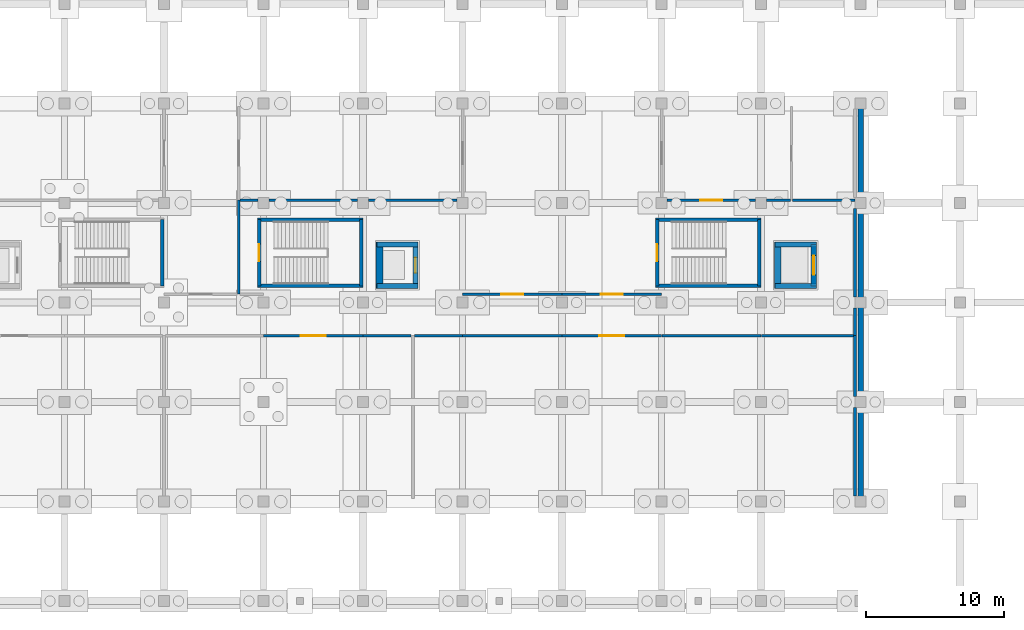
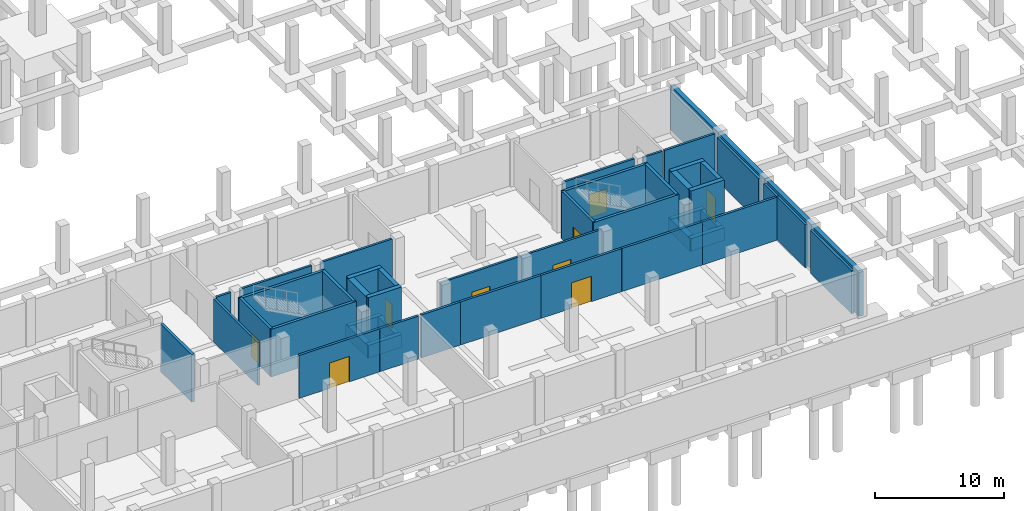
# One storey, part 19 of 22: 47 walls, 9 doors, 9 openings.
"""IFC4 building model written with IfcOpenShell, lengths in metres."""

from ifc_helpers import new_model, si_unit, direction, frame, frame_2d, origin, place, context, subcontext, project, spatial, rectangle, extrude, material, layer, layer_set, type_object, element, fill, save


model = new_model("IFC4")

# Units and contexts
model_context = context("Model", 3, precision=1e-05, world=origin(), true_north=direction((0.0, 1.0)))
body_context = subcontext(model_context, "Body", "Model", "MODEL_VIEW")
ifc_project = project(units=[si_unit("LENGTHUNIT", "METRE"), si_unit("AREAUNIT", "SQUARE_METRE"), si_unit("VOLUMEUNIT", "CUBIC_METRE"), si_unit("PLANEANGLEUNIT", "RADIAN"), si_unit("MASSUNIT", "GRAM", prefix="KILO")], contexts=[model_context])

# Site, building, storey
site_placement = place(None, origin())
site = spatial("IfcSite", under=ifc_project, at=site_placement, CompositionType="ELEMENT")
building_placement = place(site_placement, origin())
building = spatial("IfcBuilding", under=site, at=building_placement, Name="Sardonyx Promenade Sports Hall", CompositionType="ELEMENT")
storey_placement = place(building_placement, frame((0.0, 0.0, -4.5)))
storey = spatial("IfcBuildingStorey", under=building, at=storey_placement, Name="B1", CompositionType="ELEMENT", Elevation=-4.5)

# Walls
ifc_material_1 = material(Name="Concrete C40/50", Category="concrete")
ifc_layer_1 = layer(ifc_material_1, 0.3798828125)
ifc_layer_set_1 = layer_set([ifc_layer_1], Name="Wall_Core_Shear_380")
wall_type_1 = type_object("IfcWallType", Name="Wall_Core_Shear_380", PredefinedType="SHEAR", material=ifc_layer_set_1)
wall_1_placement = place(storey_placement, frame((83.0, 22.610107421875, -1.199951171875), z_axis=(0.0, 0.0, 1.0), x_axis=(0.0, 1.0, 0.0)))
element("IfcWall", 1, at=wall_1_placement, inside=storey, type_object=wall_type_1, Name="Lift pit wall LF2 E", PredefinedType="SHEAR", context=body_context, shape_type="SweptSolid", body=[
    extrude(rectangle(XDim=3.3798828125, YDim=0.3798828125, at=frame_2d((1.68994140625, 0.0))), origin(), (0.0, 0.0, 1.0), 1.199951171875),
])
for number, where, z_axis, x_axis, name in (
    (2, (80.2099609375, 25.800048828125, -1.199951171875), (0.0, 0.0, 1.0), (1.0, 0.0, 0.0), "Lift pit wall LF2 N"),
    (3, (83.18994140625, 22.800048828125, -1.199951171875), (0.0, 0.0, 1.0), (-1.0, 0.0, 0.0), "Lift pit wall LF2 S"),
):
    element("IfcWall", number, at=place(storey_placement, frame(where, z_axis=z_axis, x_axis=x_axis)), inside=storey, type_object=wall_type_1, Name=name, PredefinedType="SHEAR", context=body_context, shape_type="SweptSolid", body=[
        extrude(rectangle(XDim=2.97998046875, YDim=0.3798828125, at=frame_2d((1.489990234375, 0.0))), origin(), (0.0, 0.0, 1.0), 1.199951171875),
    ])

# Wall, opening, door
wall_2_placement = place(storey_placement, frame((83.0, 22.800048828125, 0.0), z_axis=(0.0, 0.0, 1.0), x_axis=(0.0, 1.0, 0.0)))
wall_2 = element("IfcWall", 4, at=wall_2_placement, inside=storey, type_object=wall_type_1, Name="Lift shaft wall LF2 B1 E", PredefinedType="SHEAR", context=body_context, shape_type="SweptSolid", body=[
    extrude(rectangle(XDim=3.0, YDim=0.3798828125, at=frame_2d((1.5, 0.0))), origin(), (0.0, 0.0, 1.0), 4.5),
])
opening_1_placement = place(wall_2_placement, frame((0.949951171875, 0.0, 0.0)))
opening_1 = element("IfcOpeningElement", 5, at=opening_1_placement, cuts=wall_2, Name="Opening LD01", PredefinedType="OPENING", context=body_context, shape_type="SweptSolid", body=[
    extrude(rectangle(XDim=1.10009765625, YDim=2.199951171875, at=frame_2d((0.550048828125, 1.10009765625))), frame((0.0, 0.2, 0.0), z_axis=(0.0, -1.0, 0.0), x_axis=(1.0, 0.0, 0.0)), (0.0, 0.0, 1.0), 0.4),
])
ifc_material_2 = material(Name="Fire-rated stainless steel sliding lift door", Category="steel")
door_type_1 = type_object("IfcDoorType", Name="Door_Lift_Pass_110x220", OperationType="NOTDEFINED", PredefinedType="DOOR", material=ifc_material_2)
door_1_placement = place(opening_1_placement, origin())
door_1 = element("IfcDoor", 6, at=door_1_placement, inside=storey, type_object=door_type_1, Name="Lift landing sliding door LD-LF2-B1", OperationType="SLIDING_TO_LEFT", OverallHeight=2.199951171875, OverallWidth=1.10009765625, PredefinedType="DOOR", context=body_context, shape_type="SweptSolid", body=[
    extrude(rectangle(XDim=1.10009765625, YDim=2.199951171875, at=frame_2d((0.550048828125, 1.10009765625))), frame((0.0, 0.02490234375, 0.0), z_axis=(0.0, -1.0, 0.0), x_axis=(1.0, 0.0, 0.0)), (0.0, 0.0, 1.0), 0.050048828125),
])
fill(opening_1, door_1)

# Walls
for number, where, z_axis, x_axis, name in (
    (7, (80.2099609375, 25.800048828125, 0.0), (0.0, 0.0, 1.0), (1.0, 0.0, 0.0), "Lift shaft wall LF2 B1 N"),
    (8, (83.18994140625, 22.800048828125, 0.0), (0.0, 0.0, 1.0), (-1.0, 0.0, 0.0), "Lift shaft wall LF2 B1 S"),
):
    element("IfcWall", number, at=place(storey_placement, frame(where, z_axis=z_axis, x_axis=x_axis)), inside=storey, type_object=wall_type_1, Name=name, PredefinedType="SHEAR", context=body_context, shape_type="SweptSolid", body=[
        extrude(rectangle(XDim=2.97998046875, YDim=0.3798828125, at=frame_2d((1.489990234375, 0.0))), origin(), (0.0, 0.0, 1.0), 4.5),
    ])
wall_3_placement = place(storey_placement, frame((111.800048828125, 22.610107421875, -1.199951171875), z_axis=(0.0, 0.0, 1.0), x_axis=(0.0, 1.0, 0.0)))
element("IfcWall", 9, at=wall_3_placement, inside=storey, type_object=wall_type_1, Name="Lift pit wall LF4 E", PredefinedType="SHEAR", context=body_context, shape_type="SweptSolid", body=[
    extrude(rectangle(XDim=3.3798828125, YDim=0.3798828125, at=frame_2d((1.68994140625, 0.0))), origin(), (0.0, 0.0, 1.0), 1.199951171875),
])
for number, where, z_axis, x_axis, name in (
    (10, (109.010009765625, 25.800048828125, -1.199951171875), (0.0, 0.0, 1.0), (1.0, 0.0, 0.0), "Lift pit wall LF4 N"),
    (11, (111.989990234375, 22.800048828125, -1.199951171875), (0.0, 0.0, 1.0), (-1.0, 0.0, 0.0), "Lift pit wall LF4 S"),
):
    element("IfcWall", number, at=place(storey_placement, frame(where, z_axis=z_axis, x_axis=x_axis)), inside=storey, type_object=wall_type_1, Name=name, PredefinedType="SHEAR", context=body_context, shape_type="SweptSolid", body=[
        extrude(rectangle(XDim=2.97998046875, YDim=0.3798828125, at=frame_2d((1.489990234375, 0.0))), origin(), (0.0, 0.0, 1.0), 1.199951171875),
    ])

# Wall, opening, door
wall_4_placement = place(storey_placement, frame((111.800048828125, 22.800048828125, 0.0), z_axis=(0.0, 0.0, 1.0), x_axis=(0.0, 1.0, 0.0)))
wall_4 = element("IfcWall", 12, at=wall_4_placement, inside=storey, type_object=wall_type_1, Name="Lift shaft wall LF4 B1 E", PredefinedType="SHEAR", context=body_context, shape_type="SweptSolid", body=[
    extrude(rectangle(XDim=3.0, YDim=0.3798828125, at=frame_2d((1.5, 0.0))), origin(), (0.0, 0.0, 1.0), 4.5),
])
opening_2_placement = place(wall_4_placement, frame((0.800048828125, 0.0, 0.0)))
opening_2 = element("IfcOpeningElement", 13, at=opening_2_placement, cuts=wall_4, Name="Opening LD02", PredefinedType="OPENING", context=body_context, shape_type="SweptSolid", body=[
    extrude(rectangle(XDim=1.39990234375, YDim=2.300048828125, at=frame_2d((0.699951171875, 1.14990234375))), frame((0.0, 0.2, 0.0), z_axis=(0.0, -1.0, 0.0), x_axis=(1.0, 0.0, 0.0)), (0.0, 0.0, 1.0), 0.4),
])
ifc_material_3 = material(Name="Fire-rated heavy-duty sliding lift door", Category="steel")
door_type_2 = type_object("IfcDoorType", Name="Door_Lift_Goods_140x230", OperationType="NOTDEFINED", PredefinedType="DOOR", material=ifc_material_3)
door_2_placement = place(opening_2_placement, origin())
door_2 = element("IfcDoor", 14, at=door_2_placement, inside=storey, type_object=door_type_2, Name="Lift landing sliding door LD-LF4-B1", OperationType="SLIDING_TO_LEFT", OverallHeight=2.300048828125, OverallWidth=1.39990234375, PredefinedType="DOOR", context=body_context, shape_type="SweptSolid", body=[
    extrude(rectangle(XDim=1.39990234375, YDim=2.300048828125, at=frame_2d((0.699951171875, 1.14990234375))), frame((0.0, 0.02490234375, 0.0), z_axis=(0.0, -1.0, 0.0), x_axis=(1.0, 0.0, 0.0)), (0.0, 0.0, 1.0), 0.050048828125),
])
fill(opening_2, door_2)

# Walls
for number, where, z_axis, x_axis, name in (
    (15, (109.010009765625, 25.800048828125, 0.0), (0.0, 0.0, 1.0), (1.0, 0.0, 0.0), "Lift shaft wall LF4 B1 N"),
    (16, (111.989990234375, 22.800048828125, 0.0), (0.0, 0.0, 1.0), (-1.0, 0.0, 0.0), "Lift shaft wall LF4 B1 S"),
):
    element("IfcWall", number, at=place(storey_placement, frame(where, z_axis=z_axis, x_axis=x_axis)), inside=storey, type_object=wall_type_1, Name=name, PredefinedType="SHEAR", context=body_context, shape_type="SweptSolid", body=[
        extrude(rectangle(XDim=2.97998046875, YDim=0.3798828125, at=frame_2d((1.489990234375, 0.0))), origin(), (0.0, 0.0, 1.0), 4.5),
    ])
ifc_material_4 = material(Name="Concrete C50/60", Category="concrete")
ifc_layer_2 = layer(ifc_material_4, 0.5)
ifc_layer_set_2 = layer_set([ifc_layer_2], Name="Wall_Core_Shear_500")
wall_type_2 = type_object("IfcWallType", Name="Wall_Core_Shear_500", PredefinedType="SHEAR", material=ifc_layer_set_2)
wall_5_placement = place(storey_placement, frame((80.39990234375, 25.989990234375, -1.199951171875), z_axis=(0.0, 0.0, 1.0), x_axis=(0.0, -1.0, 0.0)))
element("IfcWall", 17, at=wall_5_placement, inside=storey, type_object=wall_type_2, Name="Lift pit wall LF2 W", PredefinedType="SHEAR", context=body_context, shape_type="SweptSolid", body=[
    extrude(rectangle(XDim=3.3798828125, YDim=0.5, at=frame_2d((1.68994140625, 0.0))), origin(), (0.0, 0.0, 1.0), 1.199951171875),
])
wall_6_placement = place(storey_placement, frame((80.39990234375, 25.800048828125, 0.0), z_axis=(0.0, 0.0, 1.0), x_axis=(0.0, -1.0, 0.0)))
element("IfcWall", 18, at=wall_6_placement, inside=storey, type_object=wall_type_2, Name="Lift shaft wall LF2 B1 W", PredefinedType="SHEAR", context=body_context, shape_type="SweptSolid", body=[
    extrude(rectangle(XDim=3.0, YDim=0.5, at=frame_2d((1.5, 0.0))), origin(), (0.0, 0.0, 1.0), 4.5),
])
wall_7_placement = place(storey_placement, frame((109.199951171875, 25.989990234375, -1.199951171875), z_axis=(0.0, 0.0, 1.0), x_axis=(0.0, -1.0, 0.0)))
element("IfcWall", 19, at=wall_7_placement, inside=storey, type_object=wall_type_2, Name="Lift pit wall LF4 W", PredefinedType="SHEAR", context=body_context, shape_type="SweptSolid", body=[
    extrude(rectangle(XDim=3.3798828125, YDim=0.5, at=frame_2d((1.68994140625, 0.0))), origin(), (0.0, 0.0, 1.0), 1.199951171875),
])
wall_8_placement = place(storey_placement, frame((109.199951171875, 25.800048828125, 0.0), z_axis=(0.0, 0.0, 1.0), x_axis=(0.0, -1.0, 0.0)))
element("IfcWall", 20, at=wall_8_placement, inside=storey, type_object=wall_type_2, Name="Lift shaft wall LF4 B1 W", PredefinedType="SHEAR", context=body_context, shape_type="SweptSolid", body=[
    extrude(rectangle(XDim=3.0, YDim=0.5, at=frame_2d((1.5, 0.0))), origin(), (0.0, 0.0, 1.0), 4.5),
])
ifc_material_5 = material(Name="Masonry CMU 15 MPa", Category="masonry")
ifc_layer_3 = layer(ifc_material_5, 0.18994140625)
ifc_layer_set_3 = layer_set([ifc_layer_3], Name="Wall_Part_Block_190")
wall_type_3 = type_object("IfcWallType", Name="Wall_Part_Block_190", PredefinedType="PARTITIONING", material=ifc_layer_set_3)
wall_9_placement = place(storey_placement, frame((70.199951171875, 22.199951171875, 0.0), z_axis=(0.0, 0.0, 1.0), x_axis=(0.0, 1.0, 0.0)))
element("IfcWall", 21, at=wall_9_placement, inside=storey, type_object=wall_type_3, Name="Interior partition PW03 B1 #14", PredefinedType="PARTITIONING", context=body_context, shape_type="SweptSolid", body=[
    extrude(rectangle(XDim=6.800048828125, YDim=0.18994140625, at=frame_2d((3.39990234375, 0.0))), origin(), (0.0, 0.0, 1.0), 4.06005859375),
])
wall_10_placement = place(storey_placement, frame((70.304931640625, 29.0, 0.0), z_axis=(0.0, 0.0, 1.0), x_axis=(1.0, 0.0, 0.0)))
element("IfcWall", 22, at=wall_10_placement, inside=storey, type_object=wall_type_3, Name="Interior partition PW03 B1 #24", PredefinedType="PARTITIONING", context=body_context, shape_type="SweptSolid", body=[
    extrude(rectangle(XDim=1.295166015625, YDim=0.18994140625, at=frame_2d((0.6474609375, 0.0))), origin(), (0.0, 0.0, 1.0), 4.219970703125),
])
wall_11_placement = place(storey_placement, frame((72.39990234375, 29.0, 0.0), z_axis=(0.0, 0.0, 1.0), x_axis=(1.0, 0.0, 0.0)))
element("IfcWall", 23, at=wall_11_placement, inside=storey, type_object=wall_type_3, Name="Interior partition PW03 B1 #25", PredefinedType="PARTITIONING", context=body_context, shape_type="SweptSolid", body=[
    extrude(rectangle(XDim=6.400146484375, YDim=0.18994140625, at=frame_2d((3.2001953125, 0.0))), origin(), (0.0, 0.0, 1.0), 4.219970703125),
])
wall_12_placement = place(storey_placement, frame((79.60009765625, 29.0, 0.0), z_axis=(0.0, 0.0, 1.0), x_axis=(1.0, 0.0, 0.0)))
element("IfcWall", 24, at=wall_12_placement, inside=storey, type_object=wall_type_3, Name="Interior partition PW03 B1 #26", PredefinedType="PARTITIONING", context=body_context, shape_type="SweptSolid", body=[
    extrude(rectangle(XDim=6.39990234375, YDim=0.18994140625, at=frame_2d((3.199951171875, 0.0))), origin(), (0.0, 0.0, 1.0), 4.219970703125),
])

# Wall, opening, door
wall_13_placement = place(storey_placement, frame((101.199951171875, 29.0, 0.0), z_axis=(0.0, 0.0, 1.0), x_axis=(1.0, 0.0, 0.0)))
wall_13 = element("IfcWall", 25, at=wall_13_placement, inside=storey, type_object=wall_type_3, Name="Interior partition PW03 B1 #27", PredefinedType="PARTITIONING", context=body_context, shape_type="SweptSolid", body=[
    extrude(rectangle(XDim=6.400146484375, YDim=0.18994140625, at=frame_2d((3.2001953125, 0.0))), origin(), (0.0, 0.0, 1.0), 4.219970703125),
])
opening_3_placement = place(wall_13_placement, frame((2.39990234375, 0.0, 0.0)))
opening_3 = element("IfcOpeningElement", 26, at=opening_3_placement, cuts=wall_13, Name="Opening ID09", PredefinedType="OPENING", context=body_context, shape_type="SweptSolid", body=[
    extrude(rectangle(XDim=1.60009765625, YDim=2.199951171875, at=frame_2d((0.800048828125, 1.10009765625))), frame((0.0, 0.105, 0.0), z_axis=(0.0, -1.0, 0.0), x_axis=(1.0, 0.0, 0.0)), (0.0, 0.0, 1.0), 0.21),
])
ifc_material_6 = material(Name="Double hardwood vision-panel fire door FD60S", Category="wood")
door_type_3 = type_object("IfcDoorType", Name="Door_Lobby_FD60_160x220", OperationType="NOTDEFINED", PredefinedType="DOOR", material=ifc_material_6)
door_3_placement = place(opening_3_placement, origin())
door_3 = element("IfcDoor", 27, at=door_3_placement, inside=storey, type_object=door_type_3, Name="Interior door DB1-009", OperationType="DOUBLE_DOOR_SINGLE_SWING", OverallHeight=2.199951171875, OverallWidth=1.60009765625, PredefinedType="DOOR", context=body_context, shape_type="SweptSolid", body=[
    extrude(rectangle(XDim=1.60009765625, YDim=2.199951171875, at=frame_2d((0.800048828125, 1.10009765625))), frame((0.0, 0.02490234375, 0.0), z_axis=(0.0, -1.0, 0.0), x_axis=(1.0, 0.0, 0.0)), (0.0, 0.0, 1.0), 0.050048828125),
])
fill(opening_3, door_3)

# Walls
wall_14_placement = place(storey_placement, frame((108.39990234375, 29.0, 0.0), z_axis=(0.0, 0.0, 1.0), x_axis=(1.0, 0.0, 0.0)))
element("IfcWall", 28, at=wall_14_placement, inside=storey, type_object=wall_type_3, Name="Interior partition PW03 B1 #28", PredefinedType="PARTITIONING", context=body_context, shape_type="SweptSolid", body=[
    extrude(rectangle(XDim=1.715087890625, YDim=0.18994140625, at=frame_2d((0.857421875, 0.0))), origin(), (0.0, 0.0, 1.0), 4.06005859375),
])
wall_15_placement = place(storey_placement, frame((110.284912109375, 29.0, 0.0), z_axis=(0.0, 0.0, 1.0), x_axis=(1.0, 0.0, 0.0)))
element("IfcWall", 29, at=wall_15_placement, inside=storey, type_object=wall_type_3, Name="Interior partition PW03 B1 #29", PredefinedType="PARTITIONING", context=body_context, shape_type="SweptSolid", body=[
    extrude(rectangle(XDim=4.51513671875, YDim=0.18994140625, at=frame_2d((2.257568359375, 0.0))), origin(), (0.0, 0.0, 1.0), 4.06005859375),
])

# Wall, opening, door
wall_16_placement = place(storey_placement, frame((86.39990234375, 22.199951171875, 0.0), z_axis=(0.0, 0.0, 1.0), x_axis=(1.0, 0.0, 0.0)))
wall_16 = element("IfcWall", 30, at=wall_16_placement, inside=storey, type_object=wall_type_3, Name="Interior partition PW03 B1 #47", PredefinedType="PARTITIONING", context=body_context, shape_type="SweptSolid", body=[
    extrude(rectangle(XDim=7.2001953125, YDim=0.18994140625, at=frame_2d((3.60009765625, 0.0))), origin(), (0.0, 0.0, 1.0), 4.06005859375),
])
opening_4_placement = place(wall_16_placement, frame((2.800048828125, 0.0, 0.0)))
opening_4 = element("IfcOpeningElement", 31, at=opening_4_placement, cuts=wall_16, Name="Opening ID09", PredefinedType="OPENING", context=body_context, shape_type="SweptSolid", body=[
    extrude(rectangle(XDim=1.60009765625, YDim=2.199951171875, at=frame_2d((0.800048828125, 1.10009765625))), frame((0.0, 0.105, 0.0), z_axis=(0.0, -1.0, 0.0), x_axis=(1.0, 0.0, 0.0)), (0.0, 0.0, 1.0), 0.21),
])
door_4_placement = place(opening_4_placement, origin())
door_4 = element("IfcDoor", 32, at=door_4_placement, inside=storey, type_object=door_type_3, Name="Interior door DB1-015", OperationType="DOUBLE_DOOR_SINGLE_SWING", OverallHeight=2.199951171875, OverallWidth=1.60009765625, PredefinedType="DOOR", context=body_context, shape_type="SweptSolid", body=[
    extrude(rectangle(XDim=1.60009765625, YDim=2.199951171875, at=frame_2d((0.800048828125, 1.10009765625))), frame((0.0, 0.02490234375, 0.0), z_axis=(0.0, -1.0, 0.0), x_axis=(1.0, 0.0, 0.0)), (0.0, 0.0, 1.0), 0.050048828125),
])
fill(opening_4, door_4)

wall_17_placement = place(storey_placement, frame((93.610107421875, 22.199951171875, 0.0), z_axis=(0.0, 0.0, 1.0), x_axis=(1.0, 0.0, 0.0)))
wall_17 = element("IfcWall", 33, at=wall_17_placement, inside=storey, type_object=wall_type_3, Name="Interior partition PW03 B1 #49", PredefinedType="PARTITIONING", context=body_context, shape_type="SweptSolid", body=[
    extrude(rectangle(XDim=7.18994140625, YDim=0.18994140625, at=frame_2d((3.594970703125, 0.0))), origin(), (0.0, 0.0, 1.0), 4.06005859375),
])
opening_5_placement = place(wall_17_placement, frame((2.794921875, 0.0, 0.0)))
opening_5 = element("IfcOpeningElement", 34, at=opening_5_placement, cuts=wall_17, Name="Opening ID09", PredefinedType="OPENING", context=body_context, shape_type="SweptSolid", body=[
    extrude(rectangle(XDim=1.60009765625, YDim=2.199951171875, at=frame_2d((0.800048828125, 1.10009765625))), frame((0.0, 0.105, 0.0), z_axis=(0.0, -1.0, 0.0), x_axis=(1.0, 0.0, 0.0)), (0.0, 0.0, 1.0), 0.21),
])
door_5_placement = place(opening_5_placement, origin())
door_5 = element("IfcDoor", 35, at=door_5_placement, inside=storey, type_object=door_type_3, Name="Interior door DB1-017", OperationType="DOUBLE_DOOR_SINGLE_SWING", OverallHeight=2.199951171875, OverallWidth=1.60009765625, PredefinedType="DOOR", context=body_context, shape_type="SweptSolid", body=[
    extrude(rectangle(XDim=1.60009765625, YDim=2.199951171875, at=frame_2d((0.800048828125, 1.10009765625))), frame((0.0, 0.02490234375, 0.0), z_axis=(0.0, -1.0, 0.0), x_axis=(1.0, 0.0, 0.0)), (0.0, 0.0, 1.0), 0.050048828125),
])
fill(opening_5, door_5)

# Walls
ifc_material_7 = material(Name="Masonry CMU 15 MPa", Category="masonry")
ifc_layer_4 = layer(ifc_material_7, 0.2099609375)
ifc_layer_set_4 = layer_set([ifc_layer_4], Name="Wall_Part_Block_210")
wall_type_4 = type_object("IfcWallType", Name="Wall_Part_Block_210", PredefinedType="PARTITIONING", material=ifc_layer_set_4)
wall_18_placement = place(storey_placement, frame((114.800048828125, 7.60009765625, 0.0), z_axis=(0.0, 0.0, 1.0), x_axis=(0.0, 1.0, 0.0)))
element("IfcWall", 36, at=wall_18_placement, inside=storey, type_object=wall_type_4, Name="Interior partition PW07 B1 #5", PredefinedType="PARTITIONING", context=body_context, shape_type="SweptSolid", body=[
    extrude(rectangle(XDim=6.39990234375, YDim=0.2099609375, at=frame_2d((3.199951171875, 0.0))), origin(), (0.0, 0.0, 1.0), 4.06005859375),
])
wall_19_placement = place(storey_placement, frame((114.800048828125, 14.800048828125, 0.0), z_axis=(0.0, 0.0, 1.0), x_axis=(0.0, 1.0, 0.0)))
element("IfcWall", 37, at=wall_19_placement, inside=storey, type_object=wall_type_4, Name="Interior partition PW07 B1 #6", PredefinedType="PARTITIONING", context=body_context, shape_type="SweptSolid", body=[
    extrude(rectangle(XDim=4.39990234375, YDim=0.2099609375, at=frame_2d((2.199951171875, 0.0))), origin(), (0.0, 0.0, 1.0), 4.06005859375),
])
wall_20_placement = place(storey_placement, frame((114.800048828125, 19.2099609375, 0.0), z_axis=(0.0, 0.0, 1.0), x_axis=(0.0, 1.0, 0.0)))
element("IfcWall", 38, at=wall_20_placement, inside=storey, type_object=wall_type_4, Name="Interior partition PW07 B1 #7", PredefinedType="PARTITIONING", context=body_context, shape_type="SweptSolid", body=[
    extrude(rectangle(XDim=1.989990234375, YDim=0.2099609375, at=frame_2d((0.9951171875, 0.0))), origin(), (0.0, 0.0, 1.0), 4.06005859375),
])
wall_21_placement = place(storey_placement, frame((114.800048828125, 22.0, 0.0), z_axis=(0.0, 0.0, 1.0), x_axis=(0.0, 1.0, 0.0)))
element("IfcWall", 39, at=wall_21_placement, inside=storey, type_object=wall_type_4, Name="Interior partition PW07 B1 #8", PredefinedType="PARTITIONING", context=body_context, shape_type="SweptSolid", body=[
    extrude(rectangle(XDim=6.39990234375, YDim=0.2099609375, at=frame_2d((3.199951171875, 0.0))), origin(), (0.0, 0.0, 1.0), 4.06005859375),
])

# Wall, opening, door
wall_22_placement = place(storey_placement, frame((72.010009765625, 19.199951171875, 0.0), z_axis=(0.0, 0.0, 1.0), x_axis=(1.0, 0.0, 0.0)))
wall_22 = element("IfcWall", 40, at=wall_22_placement, inside=storey, type_object=wall_type_4, Name="Interior partition PW07 B1 #43", PredefinedType="PARTITIONING", context=body_context, shape_type="SweptSolid", body=[
    extrude(rectangle(XDim=7.18994140625, YDim=0.2099609375, at=frame_2d((3.594970703125, 0.0))), origin(), (0.0, 0.0, 1.0), 4.06005859375),
])
opening_6_placement = place(wall_22_placement, frame((2.695068359375, 0.0, 0.0)))
opening_6 = element("IfcOpeningElement", 41, at=opening_6_placement, cuts=wall_22, Name="Opening ID02", PredefinedType="OPENING", context=body_context, shape_type="SweptSolid", body=[
    extrude(rectangle(XDim=1.800048828125, YDim=2.39990234375, at=frame_2d((0.89990234375, 1.199951171875))), frame((0.0, 0.115, 0.0), z_axis=(0.0, -1.0, 0.0), x_axis=(1.0, 0.0, 0.0)), (0.0, 0.0, 1.0), 0.23),
])
ifc_material_8 = material(Name="Steel acoustic plant fire door FD60S", Category="steel")
door_type_4 = type_object("IfcDoorType", Name="Door_Plant_FD60_180x240", OperationType="NOTDEFINED", PredefinedType="DOOR", material=ifc_material_8)
door_6_placement = place(opening_6_placement, origin())
door_6 = element("IfcDoor", 42, at=door_6_placement, inside=storey, type_object=door_type_4, Name="Interior door DB1-014", OperationType="DOUBLE_DOOR_SINGLE_SWING", OverallHeight=2.39990234375, OverallWidth=1.800048828125, PredefinedType="DOOR", context=body_context, shape_type="SweptSolid", body=[
    extrude(rectangle(XDim=1.800048828125, YDim=2.39990234375, at=frame_2d((0.89990234375, 1.199951171875))), frame((0.0, 0.02490234375, 0.0), z_axis=(0.0, -1.0, 0.0), x_axis=(1.0, 0.0, 0.0)), (0.0, 0.0, 1.0), 0.050048828125),
])
fill(opening_6, door_6)

# Walls
wall_23_placement = place(storey_placement, frame((79.2099609375, 19.199951171875, 0.0), z_axis=(0.0, 0.0, 1.0), x_axis=(1.0, 0.0, 0.0)))
element("IfcWall", 43, at=wall_23_placement, inside=storey, type_object=wall_type_4, Name="Interior partition PW07 B1 #44", PredefinedType="PARTITIONING", context=body_context, shape_type="SweptSolid", body=[
    extrude(rectangle(XDim=3.47509765625, YDim=0.2099609375, at=frame_2d((1.737548828125, 0.0))), origin(), (0.0, 0.0, 1.0), 4.06005859375),
])
wall_24_placement = place(storey_placement, frame((82.9150390625, 19.199951171875, 0.0), z_axis=(0.0, 0.0, 1.0), x_axis=(1.0, 0.0, 0.0)))
element("IfcWall", 44, at=wall_24_placement, inside=storey, type_object=wall_type_4, Name="Interior partition PW07 B1 #45", PredefinedType="PARTITIONING", context=body_context, shape_type="SweptSolid", body=[
    extrude(rectangle(XDim=3.48486328125, YDim=0.2099609375, at=frame_2d((1.742431640625, 0.0))), origin(), (0.0, 0.0, 1.0), 4.06005859375),
])
wall_25_placement = place(storey_placement, frame((86.409912109375, 19.199951171875, 0.0), z_axis=(0.0, 0.0, 1.0), x_axis=(1.0, 0.0, 0.0)))
element("IfcWall", 45, at=wall_25_placement, inside=storey, type_object=wall_type_4, Name="Interior partition PW07 B1 #46", PredefinedType="PARTITIONING", context=body_context, shape_type="SweptSolid", body=[
    extrude(rectangle(XDim=7.190185546875, YDim=0.2099609375, at=frame_2d((3.59521484375, 0.0))), origin(), (0.0, 0.0, 1.0), 4.06005859375),
])

# Wall, opening, door
wall_26_placement = place(storey_placement, frame((93.610107421875, 19.199951171875, 0.0), z_axis=(0.0, 0.0, 1.0), x_axis=(1.0, 0.0, 0.0)))
wall_26 = element("IfcWall", 46, at=wall_26_placement, inside=storey, type_object=wall_type_4, Name="Interior partition PW07 B1 #48", PredefinedType="PARTITIONING", context=body_context, shape_type="SweptSolid", body=[
    extrude(rectangle(XDim=7.18994140625, YDim=0.2099609375, at=frame_2d((3.594970703125, 0.0))), origin(), (0.0, 0.0, 1.0), 4.06005859375),
])
opening_7_placement = place(wall_26_placement, frame((2.695068359375, 0.0, 0.0)))
opening_7 = element("IfcOpeningElement", 47, at=opening_7_placement, cuts=wall_26, Name="Opening ID02", PredefinedType="OPENING", context=body_context, shape_type="SweptSolid", body=[
    extrude(rectangle(XDim=1.800048828125, YDim=2.39990234375, at=frame_2d((0.89990234375, 1.199951171875))), frame((0.0, 0.115, 0.0), z_axis=(0.0, -1.0, 0.0), x_axis=(1.0, 0.0, 0.0)), (0.0, 0.0, 1.0), 0.23),
])
door_7_placement = place(opening_7_placement, origin())
door_7 = element("IfcDoor", 48, at=door_7_placement, inside=storey, type_object=door_type_4, Name="Interior door DB1-016", OperationType="DOUBLE_DOOR_SINGLE_SWING", OverallHeight=2.39990234375, OverallWidth=1.800048828125, PredefinedType="DOOR", context=body_context, shape_type="SweptSolid", body=[
    extrude(rectangle(XDim=1.800048828125, YDim=2.39990234375, at=frame_2d((0.89990234375, 1.199951171875))), frame((0.0, 0.02490234375, 0.0), z_axis=(0.0, -1.0, 0.0), x_axis=(1.0, 0.0, 0.0)), (0.0, 0.0, 1.0), 0.050048828125),
])
fill(opening_7, door_7)

# Walls
wall_27_placement = place(storey_placement, frame((100.81005859375, 19.199951171875, 0.0), z_axis=(0.0, 0.0, 1.0), x_axis=(1.0, 0.0, 0.0)))
element("IfcWall", 49, at=wall_27_placement, inside=storey, type_object=wall_type_4, Name="Interior partition PW07 B1 #50", PredefinedType="PARTITIONING", context=body_context, shape_type="SweptSolid", body=[
    extrude(rectangle(XDim=7.18994140625, YDim=0.2099609375, at=frame_2d((3.594970703125, 0.0))), origin(), (0.0, 0.0, 1.0), 4.06005859375),
])
wall_28_placement = place(storey_placement, frame((108.010009765625, 19.199951171875, 0.0), z_axis=(0.0, 0.0, 1.0), x_axis=(1.0, 0.0, 0.0)))
element("IfcWall", 50, at=wall_28_placement, inside=storey, type_object=wall_type_4, Name="Interior partition PW07 B1 #51", PredefinedType="PARTITIONING", context=body_context, shape_type="SweptSolid", body=[
    extrude(rectangle(XDim=6.675048828125, YDim=0.2099609375, at=frame_2d((3.33740234375, 0.0))), origin(), (0.0, 0.0, 1.0), 4.06005859375),
])
ifc_material_9 = material(Name="Concrete C40/50", Category="concrete")
ifc_layer_5 = layer(ifc_material_9, 0.39990234375)
ifc_layer_set_5 = layer_set([ifc_layer_5], Name="Wall_Retain_B1_400")
wall_type_5 = type_object("IfcWallType", Name="Wall_Retain_B1_400", PredefinedType="USERDEFINED", material=ifc_layer_set_5)
wall_29_placement = place(storey_placement, frame((115.199951171875, 36.199951171875, 0.0), z_axis=(0.0, 0.0, 1.0), x_axis=(0.0, -1.0, 0.0)))
element("IfcWall", 51, at=wall_29_placement, inside=storey, type_object=wall_type_5, Name="Basement retaining wall RW02 E1", ObjectType="RETAINING WALL", PredefinedType="USERDEFINED", context=body_context, shape_type="SweptSolid", body=[
    extrude(rectangle(XDim=14.599853515625, YDim=0.39990234375, at=frame_2d((7.2998046875, 0.0))), origin(), (0.0, 0.0, 1.0), 4.14990234375),
])
wall_30_placement = place(storey_placement, frame((115.199951171875, 21.60009765625, 0.0), z_axis=(0.0, 0.0, 1.0), x_axis=(0.0, -1.0, 0.0)))
element("IfcWall", 52, at=wall_30_placement, inside=storey, type_object=wall_type_5, Name="Basement retaining wall RW02 E2", ObjectType="RETAINING WALL", PredefinedType="USERDEFINED", context=body_context, shape_type="SweptSolid", body=[
    extrude(rectangle(XDim=14.60009765625, YDim=0.39990234375, at=frame_2d((7.300048828125, 0.0))), origin(), (0.0, 0.0, 1.0), 4.14990234375),
])

# Wall, opening, door
ifc_material_10 = material(Name="Concrete C40/50", Category="concrete")
ifc_layer_6 = layer(ifc_material_10, 0.25)
ifc_layer_set_6 = layer_set([ifc_layer_6], Name="Wall_Stair_Shear_250")
wall_type_6 = type_object("IfcWallType", Name="Wall_Stair_Shear_250", PredefinedType="SHEAR", material=ifc_layer_set_6)
wall_31_placement = place(storey_placement, frame((100.47509765625, 22.800048828125, 0.0), z_axis=(0.0, 0.0, 1.0), x_axis=(0.0, 1.0, 0.0)))
wall_31 = element("IfcWall", 53, at=wall_31_placement, inside=storey, type_object=wall_type_6, Name="Stair shaft wall ST2 B1 entry", PredefinedType="SHEAR", context=body_context, shape_type="SweptSolid", body=[
    extrude(rectangle(XDim=4.800048828125, YDim=0.25, at=frame_2d((2.39990234375, 0.0))), origin(), (0.0, 0.0, 1.0), 4.5),
])
opening_8_placement = place(wall_31_placement, frame((1.77490234375, 0.0, 0.0)))
opening_8 = element("IfcOpeningElement", 54, at=opening_8_placement, cuts=wall_31, Name="Opening ID13", PredefinedType="OPENING", context=body_context, shape_type="SweptSolid", body=[
    extrude(rectangle(XDim=1.25, YDim=2.199951171875, at=frame_2d((0.625, 1.10009765625))), frame((0.0, 0.135, 0.0), z_axis=(0.0, -1.0, 0.0), x_axis=(1.0, 0.0, 0.0)), (0.0, 0.0, 1.0), 0.27),
])
ifc_material_11 = material(Name="Solid-core hardwood fire door FD60S", Category="wood")
door_type_5 = type_object("IfcDoorType", Name="Door_Stair_FD60_125x220", OperationType="NOTDEFINED", PredefinedType="DOOR", material=ifc_material_11)
door_8_placement = place(opening_8_placement, origin())
door_8 = element("IfcDoor", 55, at=door_8_placement, inside=storey, type_object=door_type_5, Name="Protected stair door SD07 (ST2 B1)", OperationType="SINGLE_SWING_LEFT", OverallHeight=2.199951171875, OverallWidth=1.25, PredefinedType="DOOR", context=body_context, shape_type="SweptSolid", body=[
    extrude(rectangle(XDim=1.25, YDim=2.199951171875, at=frame_2d((0.625, 1.10009765625))), frame((0.0, 0.02490234375, 0.0), z_axis=(0.0, -1.0, 0.0), x_axis=(1.0, 0.0, 0.0)), (0.0, 0.0, 1.0), 0.050048828125),
])
fill(opening_8, door_8)

# Walls
wall_32_placement = place(storey_placement, frame((100.35009765625, 27.60009765625, 0.0), z_axis=(0.0, 0.0, 1.0), x_axis=(1.0, 0.0, 0.0)))
element("IfcWall", 56, at=wall_32_placement, inside=storey, type_object=wall_type_6, Name="Stair shaft wall ST2 B1 N", PredefinedType="SHEAR", context=body_context, shape_type="SweptSolid", body=[
    extrude(rectangle(XDim=7.64990234375, YDim=0.25, at=frame_2d((3.824951171875, 0.0))), origin(), (0.0, 0.0, 1.0), 4.5),
])
wall_33_placement = place(storey_placement, frame((107.875, 27.60009765625, 0.0), z_axis=(0.0, 0.0, 1.0), x_axis=(0.0, -1.0, 0.0)))
element("IfcWall", 57, at=wall_33_placement, inside=storey, type_object=wall_type_6, Name="Stair shaft wall ST2 B1 E", PredefinedType="SHEAR", context=body_context, shape_type="SweptSolid", body=[
    extrude(rectangle(XDim=4.800048828125, YDim=0.25, at=frame_2d((2.39990234375, 0.0))), origin(), (0.0, 0.0, 1.0), 4.5),
])
wall_34_placement = place(storey_placement, frame((108.0, 22.800048828125, 0.0), z_axis=(0.0, 0.0, 1.0), x_axis=(-1.0, 0.0, 0.0)))
element("IfcWall", 58, at=wall_34_placement, inside=storey, type_object=wall_type_6, Name="Stair shaft wall ST2 B1 S", PredefinedType="SHEAR", context=body_context, shape_type="SweptSolid", body=[
    extrude(rectangle(XDim=7.64990234375, YDim=0.25, at=frame_2d((3.824951171875, 0.0))), origin(), (0.0, 0.0, 1.0), 4.5),
])
wall_35_placement = place(storey_placement, frame((64.675048828125, 27.60009765625, 0.0), z_axis=(0.0, 0.0, 1.0), x_axis=(0.0, -1.0, 0.0)))
element("IfcWall", 59, at=wall_35_placement, inside=storey, type_object=wall_type_6, Name="Stair shaft wall ST3 B1 E", PredefinedType="SHEAR", context=body_context, shape_type="SweptSolid", body=[
    extrude(rectangle(XDim=4.800048828125, YDim=0.25, at=frame_2d((2.39990234375, 0.0))), origin(), (0.0, 0.0, 1.0), 4.5),
])

# Wall, opening, door
wall_36_placement = place(storey_placement, frame((71.675048828125, 22.800048828125, 0.0), z_axis=(0.0, 0.0, 1.0), x_axis=(0.0, 1.0, 0.0)))
wall_36 = element("IfcWall", 60, at=wall_36_placement, inside=storey, type_object=wall_type_6, Name="Stair shaft wall ST4 B1 entry", PredefinedType="SHEAR", context=body_context, shape_type="SweptSolid", body=[
    extrude(rectangle(XDim=4.800048828125, YDim=0.25, at=frame_2d((2.39990234375, 0.0))), origin(), (0.0, 0.0, 1.0), 4.5),
])
opening_9_placement = place(wall_36_placement, frame((1.77490234375, 0.0, 0.0)))
opening_9 = element("IfcOpeningElement", 61, at=opening_9_placement, cuts=wall_36, Name="Opening ID13", PredefinedType="OPENING", context=body_context, shape_type="SweptSolid", body=[
    extrude(rectangle(XDim=1.25, YDim=2.199951171875, at=frame_2d((0.625, 1.10009765625))), frame((0.0, 0.135, 0.0), z_axis=(0.0, -1.0, 0.0), x_axis=(1.0, 0.0, 0.0)), (0.0, 0.0, 1.0), 0.27),
])
door_9_placement = place(opening_9_placement, origin())
door_9 = element("IfcDoor", 62, at=door_9_placement, inside=storey, type_object=door_type_5, Name="Protected stair door SD17 (ST4 B1)", OperationType="SINGLE_SWING_LEFT", OverallHeight=2.199951171875, OverallWidth=1.25, PredefinedType="DOOR", context=body_context, shape_type="SweptSolid", body=[
    extrude(rectangle(XDim=1.25, YDim=2.199951171875, at=frame_2d((0.625, 1.10009765625))), frame((0.0, 0.02490234375, 0.0), z_axis=(0.0, -1.0, 0.0), x_axis=(1.0, 0.0, 0.0)), (0.0, 0.0, 1.0), 0.050048828125),
])
fill(opening_9, door_9)

# Walls
wall_37_placement = place(storey_placement, frame((71.550048828125, 27.60009765625, 0.0), z_axis=(0.0, 0.0, 1.0), x_axis=(1.0, 0.0, 0.0)))
element("IfcWall", 63, at=wall_37_placement, inside=storey, type_object=wall_type_6, Name="Stair shaft wall ST4 B1 N", PredefinedType="SHEAR", context=body_context, shape_type="SweptSolid", body=[
    extrude(rectangle(XDim=7.64990234375, YDim=0.25, at=frame_2d((3.824951171875, 0.0))), origin(), (0.0, 0.0, 1.0), 4.5),
])
wall_38_placement = place(storey_placement, frame((79.074951171875, 27.60009765625, 0.0), z_axis=(0.0, 0.0, 1.0), x_axis=(0.0, -1.0, 0.0)))
element("IfcWall", 64, at=wall_38_placement, inside=storey, type_object=wall_type_6, Name="Stair shaft wall ST4 B1 E", PredefinedType="SHEAR", context=body_context, shape_type="SweptSolid", body=[
    extrude(rectangle(XDim=4.800048828125, YDim=0.25, at=frame_2d((2.39990234375, 0.0))), origin(), (0.0, 0.0, 1.0), 4.5),
])
wall_39_placement = place(storey_placement, frame((79.199951171875, 22.800048828125, 0.0), z_axis=(0.0, 0.0, 1.0), x_axis=(-1.0, 0.0, 0.0)))
element("IfcWall", 65, at=wall_39_placement, inside=storey, type_object=wall_type_6, Name="Stair shaft wall ST4 B1 S", PredefinedType="SHEAR", context=body_context, shape_type="SweptSolid", body=[
    extrude(rectangle(XDim=7.64990234375, YDim=0.25, at=frame_2d((3.824951171875, 0.0))), origin(), (0.0, 0.0, 1.0), 4.5),
])

save(model, "model.ifc")
